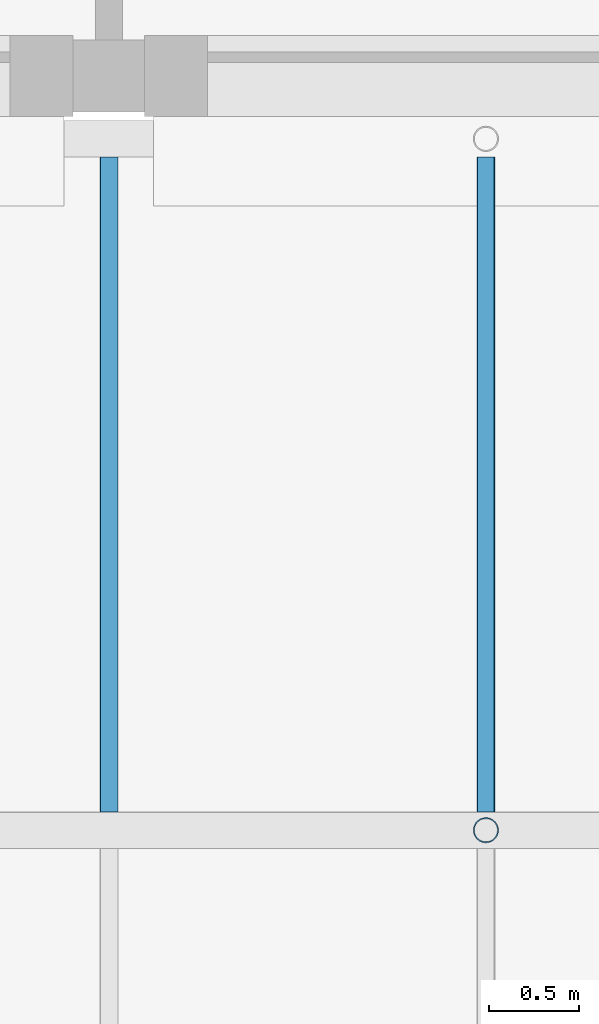
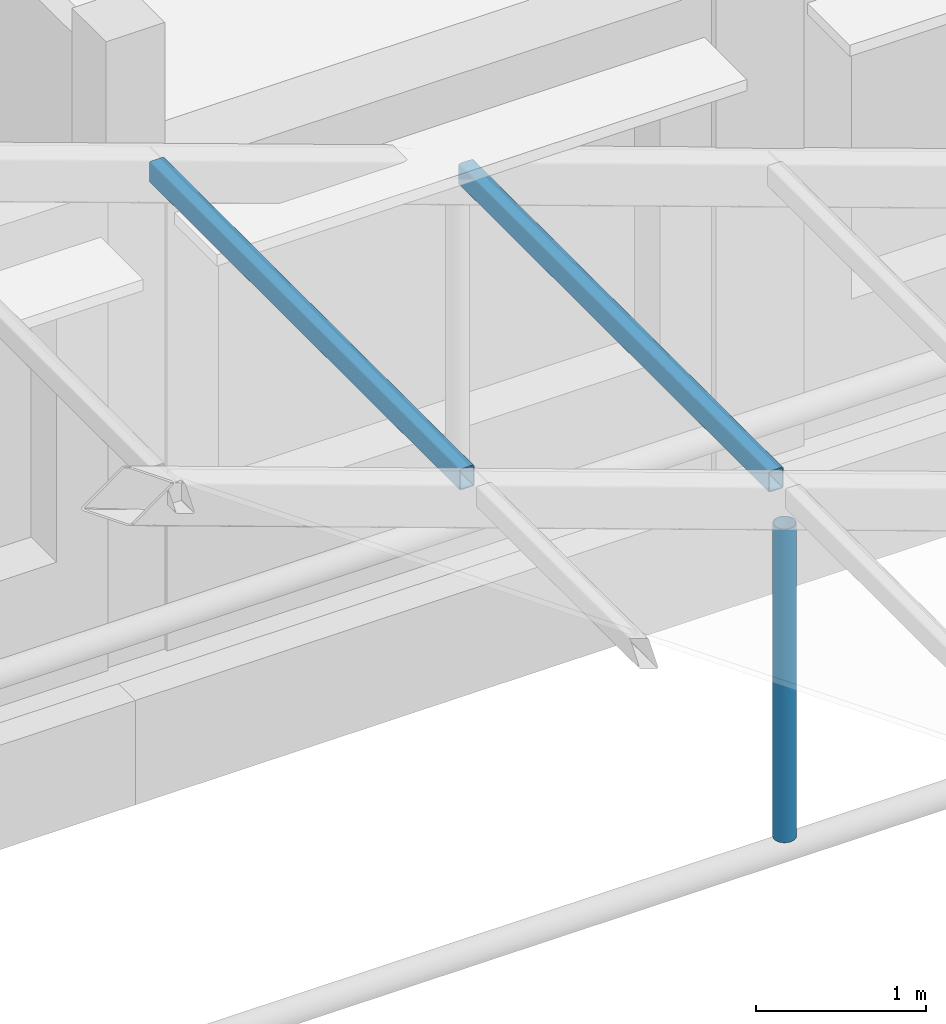
# One storey, part 72 of 116: 3 members.
"""IFC4 building model written with IfcOpenShell, lengths in metres."""

import ifcopenshell
import ifcopenshell.guid

model = None  # the IFC model being written
_history = None  # IfcOwnerHistory: only IFC2X3 demands one
_inside = {}  # id of a spatial element -> (the spatial element, [elements in it])
_under = {}  # id of a project, library or spatial element -> (it, [spatial elements below it])
_declared = {}  # id of a project -> (the project, [libraries it declares])
_typed = {}  # id of a type object -> (the type object, [elements of that type])
_made_of = {}  # id of a material, layer set ... -> (it, [elements and type objects made of it])


def new_model(schema):
    """Start an empty IFC model of exactly this schema.

    Asked for "IFC4X3", IfcOpenShell would pick the latest addendum, in which some entities
    have other attributes; the version numbers below select the first issue.
    IFC2X3 requires an IfcOwnerHistory on every rooted entity: one is made here for all.
    """
    global model, _history
    if schema == "IFC4X3":
        model = ifcopenshell.file(schema_version=(4, 3, 0, 0))
    else:
        model = ifcopenshell.file(schema=schema)
    _inside.clear()
    _under.clear()
    _declared.clear()
    _typed.clear()
    _made_of.clear()
    _history = None
    if model.schema == "IFC2X3":
        org = make("IfcOrganization", Name="unknown")
        user = make(
            "IfcPersonAndOrganization",
            ThePerson=make("IfcPerson", FamilyName="unknown"),
            TheOrganization=org,
        )
        app = make(
            "IfcApplication",
            ApplicationDeveloper=org,
            Version="unknown",
            ApplicationFullName="unknown",
            ApplicationIdentifier="unknown",
        )
        _history = make(
            "IfcOwnerHistory",
            OwningUser=user,
            OwningApplication=app,
            ChangeAction="ADDED",
            CreationDate=0,
        )
    return model


def make(cls, **values):
    """One entity of the class cls with the attributes given. An attribute that is None is left unset."""
    return model.create_entity(
        cls, **{name: value for name, value in values.items() if value is not None}
    )


def rooted(cls, **values):
    """An entity with a GlobalId (a new one), such as an element, a storey or a relation."""
    return make(cls, GlobalId=ifcopenshell.guid.new(), OwnerHistory=_history, **values)


def si_unit(unit_type, name, prefix=None):
    """IfcSIUnit, for example si_unit("LENGTHUNIT", "METRE", prefix="MILLI")."""
    return make("IfcSIUnit", UnitType=unit_type, Prefix=prefix, Name=name)


def assignment(units):
    """IfcUnitAssignment: the units of a project."""
    return None if units is None else make("IfcUnitAssignment", Units=units)


def point(xyz):
    """IfcCartesianPoint."""
    return None if xyz is None else make("IfcCartesianPoint", Coordinates=xyz)


def direction(xyz):
    """IfcDirection."""
    return None if xyz is None else make("IfcDirection", DirectionRatios=xyz)


def frame(location, z_axis=None, x_axis=None):
    """IfcAxis2Placement3D, a coordinate frame: its origin and axes. An axis left out is left unset."""
    return make(
        "IfcAxis2Placement3D",
        Location=point(location),
        Axis=direction(z_axis),
        RefDirection=direction(x_axis),
    )


def frame_2d(location, x_axis=None):
    """IfcAxis2Placement2D, a coordinate frame in the plane: its origin and x axis."""
    return make(
        "IfcAxis2Placement2D", Location=point(location), RefDirection=direction(x_axis)
    )


def origin():
    """The frame at (0, 0, 0) with its axes left unset."""
    return frame((0.0, 0.0, 0.0))


def origin_2d():
    """The frame at (0, 0) in the plane with its x axis left unset."""
    return frame_2d((0.0, 0.0))


def place(relative_to, where):
    """IfcLocalPlacement: puts the frame where relative to a parent placement (None: the world)."""
    return make(
        "IfcLocalPlacement", PlacementRelTo=relative_to, RelativePlacement=where
    )


def context(
    kind, dimensions, precision=None, world=None, true_north=None, identifier=None
):
    """IfcGeometricRepresentationContext, for example the 3D "Model" context."""
    return make(
        "IfcGeometricRepresentationContext",
        ContextIdentifier=identifier,
        ContextType=kind,
        CoordinateSpaceDimension=dimensions,
        Precision=precision,
        WorldCoordinateSystem=world,
        TrueNorth=true_north,
    )


def subcontext(parent, identifier, kind, view, scale=None):
    """IfcGeometricRepresentationSubContext, for example "Body" below "Model"."""
    return make(
        "IfcGeometricRepresentationSubContext",
        ContextIdentifier=identifier,
        ContextType=kind,
        ParentContext=parent,
        TargetScale=scale,
        TargetView=view,
    )


def project(units=None, contexts=None):
    """IfcProject with its units and contexts."""
    return rooted(
        "IfcProject",
        Name="project",
        RepresentationContexts=contexts,
        UnitsInContext=assignment(units),
    )


def spatial(cls, under=None, at=None, **own):
    """A site, building, storey or space (cls), placed at a placement, below another one or the project."""
    s = rooted(cls, ObjectPlacement=at, **own)
    if under is not None:
        _under.setdefault(under.id(), (under, []))[1].append(s)
    return s


def profile(cls, at=None, kind="AREA", **sizes):
    """A parametric profile (cls). Its sizes go by their IFC names, for example OverallWidth=200.0."""
    return make(cls, ProfileType=kind, Position=at, **sizes)


def hollow_rectangle(**sizes):
    """IfcRectangleHollowProfileDef."""
    return profile("IfcRectangleHollowProfileDef", **sizes)


def hollow_circle(**sizes):
    """IfcCircleHollowProfileDef."""
    return profile("IfcCircleHollowProfileDef", **sizes)


def extrude(swept, where, along, depth):
    """IfcExtrudedAreaSolid: the profile swept, set in the frame where, extruded along a direction by depth."""
    return make(
        "IfcExtrudedAreaSolid",
        SweptArea=swept,
        Position=where,
        ExtrudedDirection=direction(along),
        Depth=depth,
    )


def shape(context_of_items, identifier, shape_type, items):
    """IfcShapeRepresentation: the items that make up one representation, for example the "Body"."""
    return make(
        "IfcShapeRepresentation",
        ContextOfItems=context_of_items,
        RepresentationIdentifier=identifier,
        RepresentationType=shape_type,
        Items=items,
    )


def material(Name=None, Category=None):
    """IfcMaterial."""
    return make("IfcMaterial", Name=Name, Category=Category)


def material_profile(
    of_material, cross_section, Name=None, Category=None, Priority=None
):
    """IfcMaterialProfile: a cross section and its material."""
    return make(
        "IfcMaterialProfile",
        Name=Name,
        Material=of_material,
        Profile=cross_section,
        Priority=Priority,
        Category=Category,
    )


def profile_set(profiles, Name=None, composite=None):
    """IfcMaterialProfileSet."""
    return make(
        "IfcMaterialProfileSet",
        Name=Name,
        MaterialProfiles=profiles,
        CompositeProfile=composite,
    )


def made_of(thing, what):
    """Note that an element or type object is made of a material, layer set ...; save() writes the relation."""
    if what is not None:
        _made_of.setdefault(what.id(), (what, []))[1].append(thing)
    return thing


def type_object(cls, material=None, **own):
    """A type object (cls), such as IfcWallType, which elements share."""
    return made_of(rooted(cls, **own), material)


def element(
    cls,
    number,
    at=None,
    inside=None,
    cuts=None,
    type_object=None,
    material=None,
    context=None,
    identifier="Body",
    shape_type=None,
    held_by="IfcProductDefinitionShape",
    body=None,
    shapes=None,
    **own,
):
    """One element of the class cls, such as IfcWall. Its Tag is "e" and its number.

    at: its placement. inside: the storey or other place that contains it. cuts: it is an
    opening in that element (IfcRelVoidsElement). A single representation is given by context,
    identifier, shape_type and body (its items); several are given by shapes. held_by: the class
    of the entity that holds the representations. save() writes the other relations.
    """
    e = rooted(cls, Tag="e%d" % number, ObjectPlacement=at, **own)
    if body is not None:
        shapes = [shape(context, identifier, shape_type, body)]
    if shapes is not None:
        e.Representation = make(held_by, Representations=shapes)
    if inside is not None:
        _inside.setdefault(inside.id(), (inside, []))[1].append(e)
    if cuts is not None:
        rooted(
            "IfcRelVoidsElement", RelatingBuildingElement=cuts, RelatedOpeningElement=e
        )
    if type_object is not None:
        _typed.setdefault(type_object.id(), (type_object, []))[1].append(e)
    return made_of(e, material)


def aggregate(whole, parts):
    """IfcRelAggregates: a whole, such as a stair, and the parts it consists of."""
    return rooted("IfcRelAggregates", RelatingObject=whole, RelatedObjects=parts)


def save(model, path):
    """Write the relations noted so far, then the file.

    IfcRelAggregates (storeys below a building ...), IfcRelContainedInSpatialStructure (elements
    in a storey), IfcRelDefinesByType, IfcRelAssociatesMaterial and IfcRelDeclares: one each for
    every whole, place, type object, material and project.
    """
    for whole, parts in _under.values():
        aggregate(whole, parts)
    for where, things in _inside.values():
        rooted(
            "IfcRelContainedInSpatialStructure",
            RelatedElements=things,
            RelatingStructure=where,
        )
    for kind, things in _typed.values():
        rooted("IfcRelDefinesByType", RelatedObjects=things, RelatingType=kind)
    for what, things in _made_of.values():
        rooted("IfcRelAssociatesMaterial", RelatedObjects=things, RelatingMaterial=what)
    for by, libraries in _declared.values():
        rooted("IfcRelDeclares", RelatingContext=by, RelatedDefinitions=libraries)
    model.write(path)


model = new_model("IFC4")

# Units and contexts
model_context = context("Model", 3, precision=1e-05, world=origin(), true_north=direction((0.0, 1.0)))
body_context = subcontext(model_context, "Body", "Model", "MODEL_VIEW")
ifc_project = project(units=[si_unit("LENGTHUNIT", "METRE"), si_unit("AREAUNIT", "SQUARE_METRE"), si_unit("VOLUMEUNIT", "CUBIC_METRE"), si_unit("PLANEANGLEUNIT", "RADIAN"), si_unit("MASSUNIT", "GRAM", prefix="KILO")], contexts=[model_context])

# Site, building, storey
site_placement = place(None, origin())
site = spatial("IfcSite", under=ifc_project, at=site_placement, CompositionType="ELEMENT")
building_placement = place(site_placement, origin())
building = spatial("IfcBuilding", under=site, at=building_placement, Name="Fescue Hill Polytechnic", CompositionType="ELEMENT")
storey_placement = place(building_placement, frame((0.0, 0.0, 13.5)))
storey = spatial("IfcBuildingStorey", under=building, at=storey_placement, Name="L03", CompositionType="ELEMENT", Elevation=13.5)

# Members
ifc_material = material(Name="Steel 350W (350 MPa)", Category="steel")
ifc_material_profile_1 = material_profile(ifc_material, hollow_rectangle(XDim=0.1015625, YDim=0.15234375, WallThickness=0.00634765625, InnerFilletRadius=0.00634765625, OuterFilletRadius=0.0126953125, at=origin_2d()), Name="Winter garden glazing purlin HSS 152x102x6.4")
ifc_profile_set_1 = profile_set([ifc_material_profile_1], Name="Steel 350W (350 MPa)")
member_type_1 = type_object("IfcMemberType", Name="Winter garden glazing purlin HSS 152x102x6.4", PredefinedType="PURLIN", material=ifc_profile_set_1)
for number, where, z_axis, x_axis, name in (
    (1, (111.30029296875, 105.1015625, 2.914306640625), (0.0, 1.0, 0.0), (-1.0, 0.0, 0.0), "Winter garden glazing purlin E3 bay 14"),
    (2, (109.200439453125, 105.1015625, 3.664306640625), (0.0, 1.0, 0.0), (-1.0, 0.0, 0.0), "Winter garden glazing purlin E4 bay 14"),
):
    element("IfcMember", number, at=place(storey_placement, frame(where, z_axis=z_axis, x_axis=x_axis)), inside=storey, type_object=member_type_1, Name=name, PredefinedType="PURLIN", context=body_context, shape_type="SweptSolid", body=[
        extrude(hollow_rectangle(XDim=0.1015625, YDim=0.15234375, WallThickness=0.00634765625, InnerFilletRadius=0.00634765625, OuterFilletRadius=0.0126953125, at=origin_2d()), origin(), (0.0, 0.0, 1.0), 3.646728515625),
    ])
ifc_material_profile_2 = material_profile(ifc_material, hollow_circle(Radius=0.070556640625, WallThickness=0.00634765625, at=origin_2d()), Name="Winter garden queen post CHS 141x6.4")
ifc_profile_set_2 = profile_set([ifc_material_profile_2], Name="Steel 350W (350 MPa)")
member_type_2 = type_object("IfcMemberType", Name="Winter garden queen post CHS 141x6.4", PredefinedType="POST", material=ifc_profile_set_2)
member_placement = place(storey_placement, frame((111.300048828125, 105.0, 0.4169921875), z_axis=(0.0, 0.0, 1.0), x_axis=(1.0, 0.0, 0.0)))
element("IfcMember", 3, at=member_placement, inside=storey, type_object=member_type_2, Name="Winter garden queen post 14B", PredefinedType="POST", context=body_context, shape_type="SweptSolid", body=[
    extrude(hollow_circle(Radius=0.070556640625, WallThickness=0.00634765625, at=origin_2d()), origin(), (0.0, 0.0, 1.0), 2.25),
])

save(model, "model.ifc")
